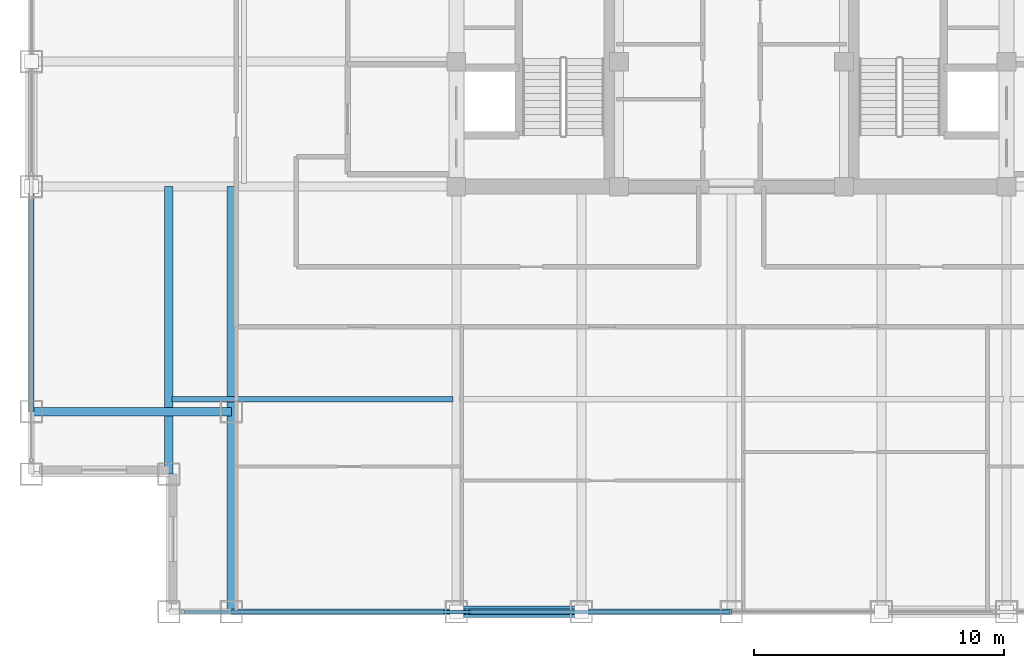
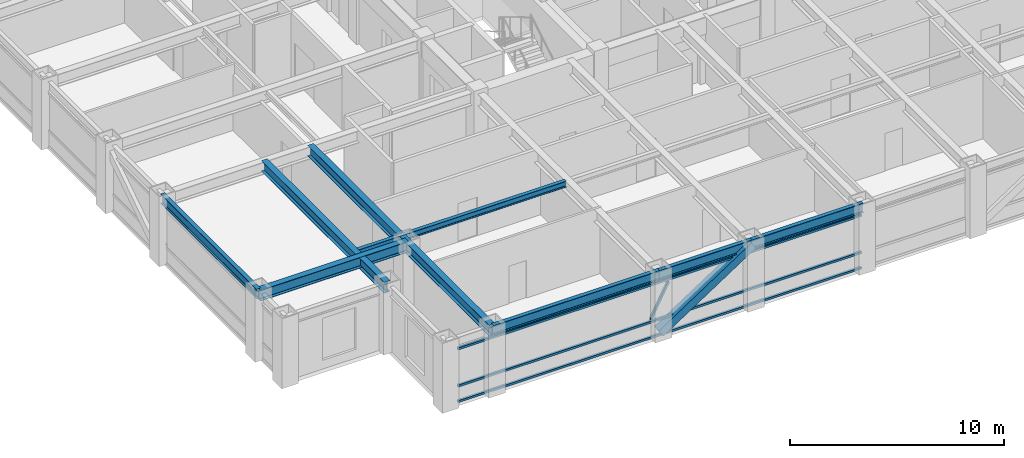
# One storey, part 3 of 22: 8 beams, 5 members, 1 element without a shape of its own.
"""IFC4 building model written with IfcOpenShell, lengths in metres."""

from ifc_helpers import new_model, si_unit, direction, frame, origin, origin_2d, place, context, subcontext, project, spatial, hollow_rectangle, i_section, extrude, source, transform, mapped, material, material_profile, profile_set, type_object, element, aggregate, save


model = new_model("IFC4")

# Units and contexts
model_context = context("Model", 3, precision=1e-05, world=origin(), true_north=direction((0.0, 1.0)))
body_context = subcontext(model_context, "Body", "Model", "MODEL_VIEW")
ifc_project = project(units=[si_unit("LENGTHUNIT", "METRE"), si_unit("AREAUNIT", "SQUARE_METRE"), si_unit("VOLUMEUNIT", "CUBIC_METRE"), si_unit("PLANEANGLEUNIT", "RADIAN"), si_unit("MASSUNIT", "GRAM", prefix="KILO")], contexts=[model_context])

# Site, building, storey
site_placement = place(None, origin())
site = spatial("IfcSite", under=ifc_project, at=site_placement, CompositionType="ELEMENT")
building_placement = place(site_placement, origin())
building = spatial("IfcBuilding", under=site, at=building_placement, Name="Khorayat Bourse Tower", CompositionType="ELEMENT")
storey_placement = place(building_placement, frame((0.0, 0.0, 289.5)))
storey = spatial("IfcBuildingStorey", under=building, at=storey_placement, Name="L68", CompositionType="ELEMENT", Elevation=289.5)

# Beam
ifc_material_1 = material(Name="Steel ASTM A992 Grade 50", Category="steel")
ifc_material_profile_1 = material_profile(ifc_material_1, i_section(OverallWidth=0.324951171875, OverallDepth=0.615966796875, WebThickness=0.013916015625, FlangeThickness=0.021484375, FilletRadius=0.01611328125, at=origin_2d()), Name="W610X174")
ifc_profile_set_1 = profile_set([ifc_material_profile_1], Name="Steel ASTM A992 Grade 50")
beam_type_1 = type_object("IfcBeamType", Name="BM-GIRD-610", PredefinedType="BEAM", material=ifc_profile_set_1)
shared_shape_1 = source(origin(), body_context, "Body", "SweptSolid", [
    extrude(i_section(OverallWidth=0.324951171875, OverallDepth=0.615966796875, WebThickness=0.013916015625, FlangeThickness=0.021484375, FilletRadius=0.01611328125, at=origin_2d()), origin(), (0.0, 0.0, 1.0), 17.0),
])
beam_1_placement = place(storey_placement, frame((-20.0, -28.0, 3.471923828125), z_axis=(0.0, 1.0, 0.0), x_axis=(-1.0, 0.0, 0.0)))
element("IfcBeam", 1, at=beam_1_placement, inside=storey, type_object=beam_type_1, Name="L68 BM-GIRD-610 BM-L68-CNRY-084", PredefinedType="BEAM", context=body_context, shape_type="MappedRepresentation", body=[
    mapped(shared_shape_1, transform((0.0, 0.0, 0.0), scale=1.0)),
])

# Member
ifc_material_2 = material(Name="Steel EN 10025-4 S460M", Category="steel")
ifc_material_profile_2 = material_profile(ifc_material_2, hollow_rectangle(XDim=0.449951171875, YDim=0.449951171875, WallThickness=0.02490234375, at=origin_2d()), Name="HSS 450x450x25")
ifc_profile_set_2 = profile_set([ifc_material_profile_2], Name="Steel EN 10025-4 S460M")
member_type_1 = type_object("IfcMemberType", Name="MBR-TUBE-450", PredefinedType="BRACE", material=ifc_profile_set_2)
shared_shape_2 = source(origin(), body_context, "Body", "SweptSolid", [
    extrude(hollow_rectangle(XDim=0.449951171875, YDim=0.449951171875, WallThickness=0.02490234375, at=origin_2d()), origin(), (0.0, 0.0, 1.0), 5.979736328125),
])
member_1_placement = place(storey_placement, frame((-11.0, -28.0, 0.25), z_axis=(0.836141536525, 0.0, 0.548513747227), x_axis=(0.0, 1.0, 0.0)))
element("IfcMember", 2, at=member_1_placement, inside=storey, type_object=member_type_1, Name="L68 Perimeter Tube Brace 01", PredefinedType="BRACE", context=body_context, shape_type="MappedRepresentation", body=[
    mapped(shared_shape_2, transform((0.0, 0.0, 0.0), scale=1.0)),
])

# Beams
shared_shape_3 = source(origin(), body_context, "Body", "SweptSolid", [
    extrude(i_section(OverallWidth=0.324951171875, OverallDepth=0.615966796875, WebThickness=0.013916015625, FlangeThickness=0.021484375, FilletRadius=0.01611328125, at=origin_2d()), origin(), (0.0, 0.0, 1.0), 11.5),
])
beam_2_placement = place(storey_placement, frame((-22.5, -22.5, 3.471923828125), z_axis=(0.0, 1.0, 0.0), x_axis=(-1.0, 0.0, 0.0)))
element("IfcBeam", 3, at=beam_2_placement, inside=storey, type_object=beam_type_1, Name="L68 BM-GIRD-610 BM-L68-CNRY-088", PredefinedType="BEAM", context=body_context, shape_type="MappedRepresentation", body=[
    mapped(shared_shape_3, transform((0.0, 0.0, 0.0), scale=1.0)),
])
shared_shape_4 = source(origin(), body_context, "Body", "SweptSolid", [
    extrude(i_section(OverallWidth=0.324951171875, OverallDepth=0.615966796875, WebThickness=0.013916015625, FlangeThickness=0.021484375, FilletRadius=0.01611328125, at=origin_2d()), origin(), (0.0, 0.0, 1.0), 8.0),
])
beam_3_placement = place(storey_placement, frame((-28.0, -20.0, 3.471923828125), z_axis=(1.0, 0.0, 0.0), x_axis=(0.0, 1.0, 0.0)))
element("IfcBeam", 4, at=beam_3_placement, inside=storey, type_object=beam_type_1, Name="L68 BM-GIRD-610 BM-L68-CNRX-093", PredefinedType="BEAM", context=body_context, shape_type="MappedRepresentation", body=[
    mapped(shared_shape_4, transform((0.0, 0.0, 0.0), scale=1.0)),
])
ifc_material_profile_3 = material_profile(ifc_material_1, i_section(OverallWidth=0.202880859375, OverallDepth=0.346923828125, WebThickness=0.0078125, FlangeThickness=0.013427734375, FilletRadius=0.010009765625, at=origin_2d()), Name="W360X64")
ifc_profile_set_3 = profile_set([ifc_material_profile_3], Name="Steel ASTM A992 Grade 50")
beam_type_2 = type_object("IfcBeamType", Name="BM-JOIST-360", PredefinedType="JOIST", material=ifc_profile_set_3)
shared_shape_5 = source(origin(), body_context, "Body", "SweptSolid", [
    extrude(i_section(OverallWidth=0.202880859375, OverallDepth=0.346923828125, WebThickness=0.0078125, FlangeThickness=0.013427734375, FilletRadius=0.010009765625, at=origin_2d()), origin(), (0.0, 0.0, 1.0), 11.240234375),
])
beam_4_placement = place(storey_placement, frame((-22.3701171875, -19.5, 3.6064453125), z_axis=(1.0, 0.0, 0.0), x_axis=(0.0, 1.0, 0.0)))
element("IfcBeam", 5, at=beam_4_placement, inside=storey, type_object=beam_type_2, Name="L68 BM-JOIST-360 BM-L68-JSTX-096", PredefinedType="JOIST", context=body_context, shape_type="MappedRepresentation", body=[
    mapped(shared_shape_5, transform((0.0, 0.0, 0.0), scale=1.0)),
])
ifc_material_profile_4 = material_profile(ifc_material_1, i_section(OverallWidth=0.214111328125, OverallDepth=0.549072265625, WebThickness=0.0146484375, FlangeThickness=0.023681640625, FilletRadius=0.013916015625, at=origin_2d()), Name="W530X138")
ifc_profile_set_4 = profile_set([ifc_material_profile_4], Name="Steel ASTM A992 Grade 50")
beam_type_3 = type_object("IfcBeamType", Name="BM-SPAN-530", PredefinedType="SPANDREL", material=ifc_profile_set_4)
shared_shape_6 = source(origin(), body_context, "Body", "SweptSolid", [
    extrude(i_section(OverallWidth=0.214111328125, OverallDepth=0.549072265625, WebThickness=0.0146484375, FlangeThickness=0.023681640625, FilletRadius=0.013916015625, at=origin_2d()), origin(), (0.0, 0.0, 1.0), 9.0),
])
for number, where, z_axis, x_axis, name in (
    (6, (-20.0, -28.0, 3.505615234375), (1.0, 0.0, 0.0), (0.0, 1.0, 0.0), "L68 BM-SPAN-530 BM-L68-SPN-025"),
    (7, (-28.0, -20.0, 3.505615234375), (0.0, 1.0, 0.0), (-1.0, 0.0, 0.0), "L68 BM-SPAN-530 BM-L68-SPN-060"),
):
    element("IfcBeam", number, at=place(storey_placement, frame(where, z_axis=z_axis, x_axis=x_axis)), inside=storey, type_object=beam_type_3, Name=name, PredefinedType="SPANDREL", context=body_context, shape_type="MappedRepresentation", body=[
        mapped(shared_shape_6, transform((0.0, 0.0, 0.0), scale=1.0)),
    ])
shared_shape_7 = source(origin(), body_context, "Body", "SweptSolid", [
    extrude(i_section(OverallWidth=0.214111328125, OverallDepth=0.549072265625, WebThickness=0.0146484375, FlangeThickness=0.023681640625, FilletRadius=0.013916015625, at=origin_2d()), origin(), (0.0, 0.0, 1.0), 5.0),
])
beam_5_placement = place(storey_placement, frame((-11.0, -28.0, 3.505615234375), z_axis=(1.0, 0.0, 0.0), x_axis=(0.0, 1.0, 0.0)))
element("IfcBeam", 8, at=beam_5_placement, inside=storey, type_object=beam_type_3, Name="L68 BM-SPAN-530 BM-L68-SPN-026", PredefinedType="SPANDREL", context=body_context, shape_type="MappedRepresentation", body=[
    mapped(shared_shape_7, transform((0.0, 0.0, 0.0), scale=1.0)),
])
shared_shape_8 = source(origin(), body_context, "Body", "SweptSolid", [
    extrude(i_section(OverallWidth=0.214111328125, OverallDepth=0.549072265625, WebThickness=0.0146484375, FlangeThickness=0.023681640625, FilletRadius=0.013916015625, at=origin_2d()), origin(), (0.0, 0.0, 1.0), 6.0),
])
beam_6_placement = place(storey_placement, frame((-6.0, -28.0, 3.505615234375), z_axis=(1.0, 0.0, 0.0), x_axis=(0.0, 1.0, 0.0)))
element("IfcBeam", 9, at=beam_6_placement, inside=storey, type_object=beam_type_3, Name="L68 BM-SPAN-530 BM-L68-SPN-027", PredefinedType="SPANDREL", context=body_context, shape_type="MappedRepresentation", body=[
    mapped(shared_shape_8, transform((0.0, 0.0, 0.0), scale=1.0)),
])

# Curtain wall, members
ifc_material_3 = material(Name="Aluminium EN AW-6063 T6", Category="aluminium")
curtain_wall_type = type_object("IfcCurtainWallType", Name="CW-SYS-04", PredefinedType="NOTDEFINED", material=ifc_material_3)
curtain_wall_placement = place(storey_placement, origin())
curtain_wall = element("IfcCurtainWall", 10, at=curtain_wall_placement, inside=storey, type_object=curtain_wall_type, Name="L68 Curtain Wall CW-L68-S1", PredefinedType="NOTDEFINED")
ifc_material_profile_5 = material_profile(ifc_material_3, hollow_rectangle(XDim=0.1201171875, YDim=0.1201171875, WallThickness=0.0048828125, at=origin_2d()), Name="ALU 120x120x5")
ifc_profile_set_5 = profile_set([ifc_material_profile_5], Name="Aluminium EN AW-6063 T6")
member_type_2 = type_object("IfcMemberType", Name="CWM-DIAG-120", PredefinedType="MULLION", material=ifc_profile_set_5)
shared_shape_9 = source(origin(), body_context, "Body", "SweptSolid", [
    extrude(hollow_rectangle(XDim=0.1201171875, YDim=0.1201171875, WallThickness=0.0048828125, at=origin_2d()), origin(), (0.0, 0.0, 1.0), 2.0791015625),
])
member_2_placement = place(storey_placement, frame((-11.4541015625, -28.0, 1.090087890625), z_axis=(0.465717394116, 0.0, 0.884933505309), x_axis=(0.0, 1.0, 0.0)))
member_2 = element("IfcMember", 11, at=member_2_placement, type_object=member_type_2, Name="CW-L68-S1 Faceted Diagonal Mullion 1", PredefinedType="MULLION", context=body_context, shape_type="MappedRepresentation", body=[
    mapped(shared_shape_9, transform((0.0, 0.0, 0.0), scale=1.0)),
])
ifc_material_profile_6 = material_profile(ifc_material_3, hollow_rectangle(XDim=0.1201171875, YDim=0.1201171875, WallThickness=0.0048828125, at=origin_2d()), Name="ALU 120x120x5")
ifc_profile_set_6 = profile_set([ifc_material_profile_6], Name="Aluminium EN AW-6063 T6")
member_type_3 = type_object("IfcMemberType", Name="CWT-HORZ-120", PredefinedType="USERDEFINED", material=ifc_profile_set_6)
shared_shape_10 = source(origin(), body_context, "Body", "SweptSolid", [
    extrude(hollow_rectangle(XDim=0.1201171875, YDim=0.1201171875, WallThickness=0.0048828125, at=origin_2d()), origin(), (0.0, 0.0, 1.0), 21.81982421875),
])
member_3_placement = place(storey_placement, frame((-21.8798828125, -28.0, 0.06005859375), z_axis=(1.0, 0.0, 0.0), x_axis=(0.0, 1.0, 0.0)))
member_3 = element("IfcMember", 12, at=member_3_placement, type_object=member_type_3, Name="CW-L68-S1 Horizontal Transom 1-1", ObjectType="TRANSOM", PredefinedType="USERDEFINED", context=body_context, shape_type="MappedRepresentation", body=[
    mapped(shared_shape_10, transform((0.0, 0.0, 0.0), scale=1.0)),
])
member_4_placement = place(storey_placement, frame((-21.8798828125, -28.0, 0.949951171875), z_axis=(1.0, 0.0, 0.0), x_axis=(0.0, 1.0, 0.0)))
member_4 = element("IfcMember", 13, at=member_4_placement, type_object=member_type_3, Name="CW-L68-S1 Horizontal Transom 1-2", ObjectType="TRANSOM", PredefinedType="USERDEFINED", context=body_context, shape_type="MappedRepresentation", body=[
    mapped(shared_shape_10, transform((0.0, 0.0, 0.0), scale=1.0)),
])
member_5_placement = place(storey_placement, frame((-21.8798828125, -28.0, 3.070068359375), z_axis=(1.0, 0.0, 0.0), x_axis=(0.0, 1.0, 0.0)))
member_5 = element("IfcMember", 14, at=member_5_placement, type_object=member_type_3, Name="CW-L68-S1 Horizontal Transom 1-3", ObjectType="TRANSOM", PredefinedType="USERDEFINED", context=body_context, shape_type="MappedRepresentation", body=[
    mapped(shared_shape_10, transform((0.0, 0.0, 0.0), scale=1.0)),
])
aggregate(curtain_wall, [member_3, member_4, member_5, member_2])

save(model, "model.ifc")
